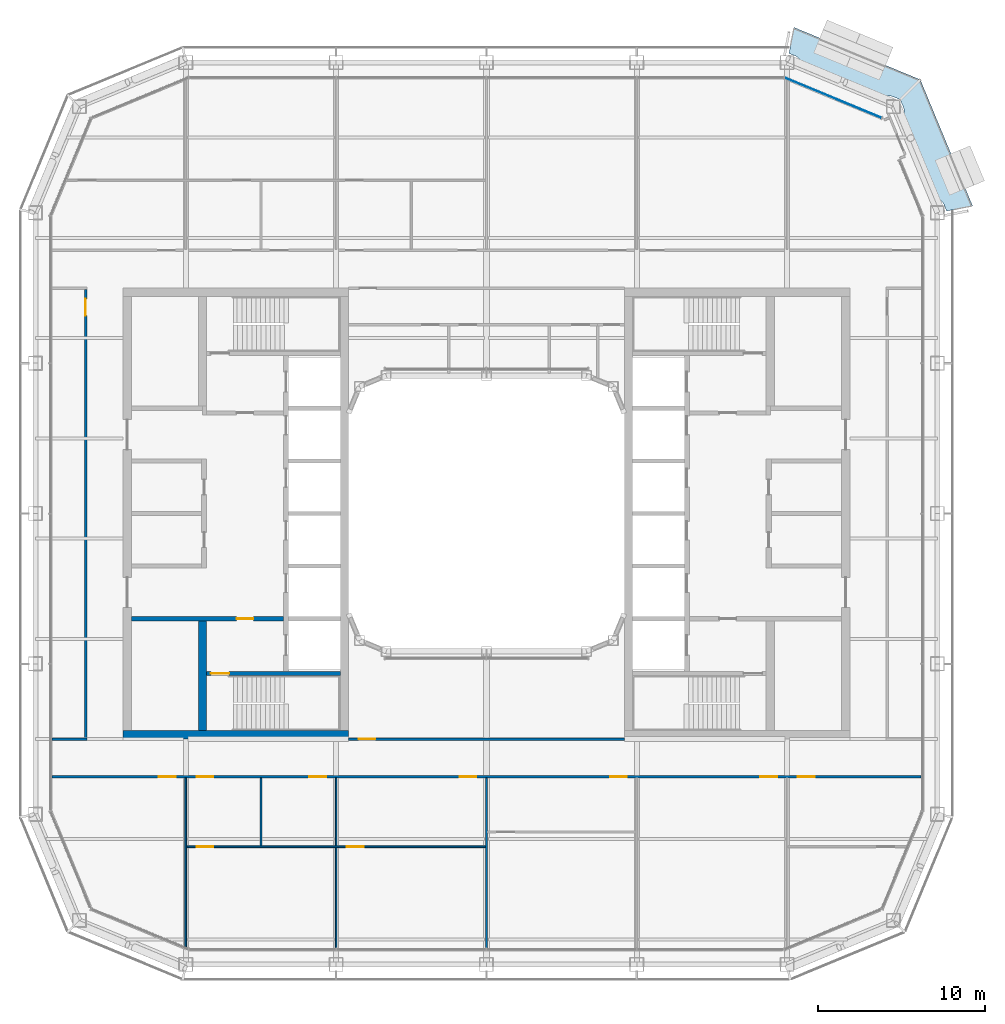
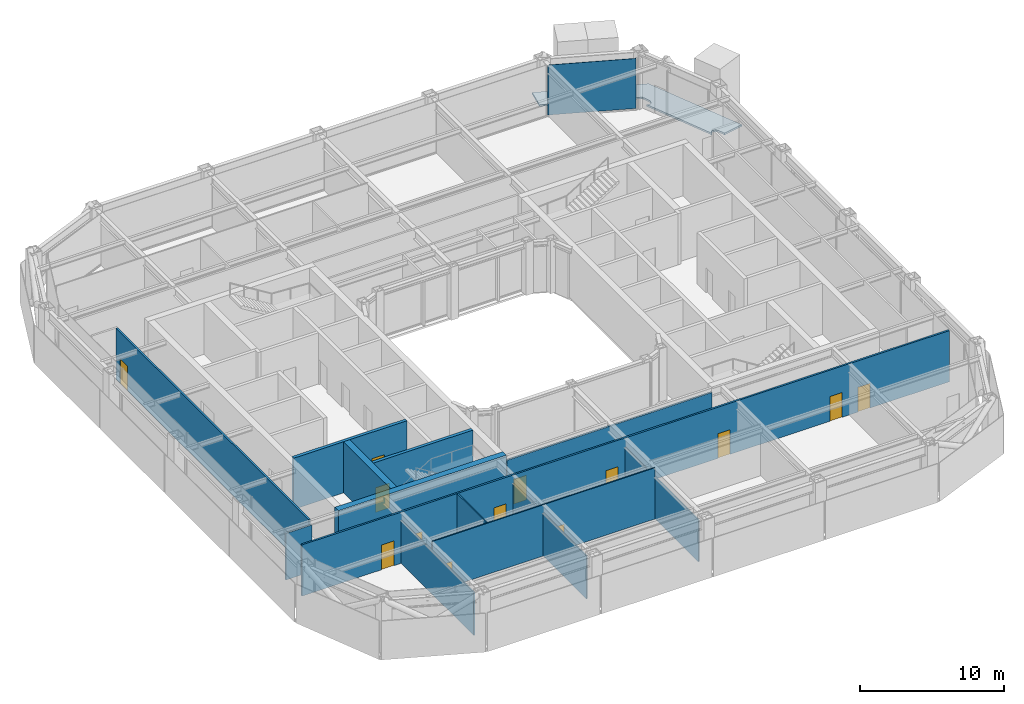
# One storey, part 12 of 23: 14 walls, 13 doors, 1 plate, 1 slab, 13 openings, 1 element without a shape of its own.
"""IFC4 building model written with IfcOpenShell, lengths in metres."""

from ifc_helpers import new_model, si_unit, direction, frame, frame_2d, origin, origin_2d, place, context, subcontext, project, spatial, polyline, rectangle, outline, extrude, material, layer, layer_set, type_object, element, fill, aggregate, save


model = new_model("IFC4")

# Units and contexts
model_context = context("Model", 3, precision=1e-05, world=origin(), true_north=direction((0.0, 1.0)))
body_context = subcontext(model_context, "Body", "Model", "MODEL_VIEW")
ifc_project = project(units=[si_unit("LENGTHUNIT", "METRE"), si_unit("AREAUNIT", "SQUARE_METRE"), si_unit("VOLUMEUNIT", "CUBIC_METRE"), si_unit("PLANEANGLEUNIT", "RADIAN"), si_unit("MASSUNIT", "GRAM", prefix="KILO")], contexts=[model_context])

# Site, building, storey
site_placement = place(None, origin())
site = spatial("IfcSite", under=ifc_project, at=site_placement, CompositionType="ELEMENT")
building_placement = place(site_placement, origin())
building = spatial("IfcBuilding", under=site, at=building_placement, Name="Siwar Civic Tower", CompositionType="ELEMENT")
storey_placement = place(building_placement, frame((0.0, 0.0, 224.199951171875)))
storey = spatial("IfcBuildingStorey", under=building, at=storey_placement, Name="L48", CompositionType="ELEMENT", Elevation=224.199951171875)

# Slab
ifc_material_1 = material(Name="Concrete C40/50", Category="concrete")
ifc_layer_1 = layer(ifc_material_1, 0.14990234375)
ifc_layer_set_1 = layer_set([ifc_layer_1], Name="Concrete C40/50")
slab_type = type_object("IfcSlabType", Name="ENV-BALCONY DECK 150", PredefinedType="FLOOR", material=ifc_layer_set_1)
slab_placement = place(storey_placement, frame((0.0, 0.0, -0.1494140625)))
element("IfcSlab", 1, at=slab_placement, inside=storey, type_object=slab_type, Name="Tree balcony deck NE", PredefinedType="FLOOR", context=body_context, shape_type="SweptSolid", body=[
    extrude(outline(polyline([(24.82080078125, 24.657470703125), (24.82080078125, 24.657470703125), (24.82421875, 24.649658203125), (24.924560546875, 24.40869140625), (24.94384765625, 24.362060546875), (24.94482421875, 24.35986328125), (24.96533203125, 24.305419921875), (24.967041015625, 24.300537109375), (24.98388671875, 24.244873046875), (24.985595703125, 24.238037109375), (24.99560546875, 24.189208984375), (24.99658203125, 24.183837890625), (25.002685546875, 24.13427734375), (25.003173828125, 24.12890625), (25.006103515625, 24.0791015625), (25.006103515625, 24.073974609375), (25.005615234375, 24.024169921875), (25.00537109375, 24.0185546875), (25.004638671875, 24.0126953125), (24.99755859375, 23.970947265625), (24.995849609375, 23.96337890625), (24.993408203125, 23.9560546875), (24.98046875, 23.922607421875), (24.978271484375, 23.91748046875), (24.962646484375, 23.88525390625), (24.96044921875, 23.880615234375), (24.942626953125, 23.849365234375), (24.93896484375, 23.84326171875), (24.9345703125, 23.837646484375), (24.9296875, 23.83251953125), (24.906982421875, 23.810546875), (24.900634765625, 23.804931640625), (24.8935546875, 23.80029296875), (24.885986328125, 23.796142578125), (24.85888671875, 23.78369140625), (24.85400390625, 23.78173828125), (24.826171875, 23.771240234375), (24.818115234375, 23.768798828125), (24.8095703125, 23.76708984375), (24.80126953125, 23.7666015625), (24.769775390625, 23.765869140625), (24.762451171875, 23.76611328125), (24.75537109375, 23.766845703125), (24.74853515625, 23.7685546875), (24.7138671875, 23.77783203125), (24.708984375, 23.779541015625), (24.675048828125, 23.791259765625), (24.669921875, 23.793212890625), (24.636962890625, 23.8076171875), (24.630126953125, 23.81103515625), (24.62353515625, 23.815185546875), (24.5888671875, 23.839599609375), (24.58447265625, 23.84326171875), (24.580078125, 23.846923828125), (24.57666015625, 23.85009765625), (26.77978515625, 18.531494140625), (26.7802734375, 18.5654296875), (26.780517578125, 18.5712890625), (26.78125, 18.576904296875), (26.788330078125, 18.61865234375), (26.789794921875, 18.626220703125), (26.792236328125, 18.633544921875), (26.805419921875, 18.6669921875), (26.8076171875, 18.672119140625), (26.822998046875, 18.70458984375), (26.825439453125, 18.709228515625), (26.84326171875, 18.740234375), (26.846923828125, 18.746337890625), (26.851318359375, 18.751953125), (26.856201171875, 18.75732421875), (26.87890625, 18.779052734375), (26.88525390625, 18.78466796875), (26.892333984375, 18.78955078125), (26.899658203125, 18.79345703125), (26.927001953125, 18.805908203125), (26.931884765625, 18.80810546875), (26.959716796875, 18.818603515625), (26.9677734375, 18.821044921875), (26.97607421875, 18.82275390625), (26.984619140625, 18.8232421875), (27.01611328125, 18.823974609375), (27.023193359375, 18.82373046875), (27.0302734375, 18.82275390625), (27.037353515625, 18.8212890625), (27.072021484375, 18.811767578125), (27.076904296875, 18.810302734375), (27.11083984375, 18.79833984375), (27.115966796875, 18.79638671875), (27.14892578125, 18.7822265625), (27.15576171875, 18.77880859375), (27.162353515625, 18.774658203125), (27.197021484375, 18.75), (27.201416015625, 18.74658203125), (27.205810546875, 18.74267578125), (27.241455078125, 18.7080078125), (27.2451171875, 18.704345703125), (27.278564453125, 18.667236328125), (27.281982421875, 18.663330078125), (27.312744140625, 18.623779296875), (27.31591796875, 18.619384765625), (27.343505859375, 18.577880859375), (27.34716796875, 18.57177734375), (27.374755859375, 18.520751953125), (27.377197265625, 18.51611328125), (27.4013671875, 18.463134765625), (27.40234375, 18.4609375), (27.405517578125, 18.453125), (27.417236328125, 18.425048828125), (27.425048828125, 18.425048828125), (27.425048828125, 18.406494140625), (27.522216796875, 18.17333984375), (27.525390625, 18.16552734375), (27.525390625, 18.16552734375), (27.52783203125, 18.15869140625), (27.533935546875, 18.13916015625), (27.53564453125, 18.13232421875), (27.53662109375, 18.12548828125), (27.538818359375, 18.107177734375), (29.10009765625, 18.417724609375), (25.97119140625, 25.97119140625), (18.417724609375, 29.10009765625), (18.106689453125, 27.5361328125), (18.107421875, 27.5361328125), (18.1240234375, 27.535400390625), (18.1328125, 27.53466796875), (18.141357421875, 27.53271484375), (18.156982421875, 27.5283203125), (18.16552734375, 27.525390625), (18.170166015625, 27.5234375), (18.17333984375, 27.522216796875), (18.18896484375, 27.515625), (18.227783203125, 27.49951171875), (18.240234375, 27.494140625), (18.406494140625, 27.425048828125), (18.425048828125, 27.425048828125), (18.425048828125, 27.417236328125), (18.453125, 27.405517578125), (18.4609375, 27.40234375), (18.463134765625, 27.4013671875), (18.51611328125, 27.377197265625), (18.520751953125, 27.374755859375), (18.57177734375, 27.34716796875), (18.577880859375, 27.343505859375), (18.619384765625, 27.31591796875), (18.623779296875, 27.312744140625), (18.663330078125, 27.281982421875), (18.667236328125, 27.278564453125), (18.704345703125, 27.2451171875), (18.7080078125, 27.241455078125), (18.74267578125, 27.205810546875), (18.74658203125, 27.201416015625), (18.75, 27.197021484375), (18.774658203125, 27.162353515625), (18.77880859375, 27.15576171875), (18.7822265625, 27.14892578125), (18.79638671875, 27.115966796875), (18.79833984375, 27.11083984375), (18.810302734375, 27.076904296875), (18.811767578125, 27.072021484375), (18.8212890625, 27.037353515625), (18.82275390625, 27.0302734375), (18.82373046875, 27.023193359375), (18.823974609375, 27.01611328125), (18.8232421875, 26.984619140625), (18.82275390625, 26.97607421875), (18.821044921875, 26.9677734375), (18.818603515625, 26.959716796875), (18.80810546875, 26.931884765625), (18.805908203125, 26.927001953125), (18.79345703125, 26.899658203125), (18.78955078125, 26.892333984375), (18.78466796875, 26.88525390625), (18.779052734375, 26.87890625), (18.75732421875, 26.856201171875), (18.751953125, 26.851318359375), (18.746337890625, 26.846923828125), (18.740234375, 26.84326171875), (18.709228515625, 26.825439453125), (18.70458984375, 26.822998046875), (18.672119140625, 26.8076171875), (18.6669921875, 26.805419921875), (18.633544921875, 26.792236328125), (18.626220703125, 26.789794921875), (18.61865234375, 26.788330078125), (18.576904296875, 26.78125), (18.5712890625, 26.780517578125), (18.5654296875, 26.7802734375), (18.531494140625, 26.77978515625), (23.85009765625, 24.57666015625), (23.846923828125, 24.580078125), (23.84326171875, 24.58447265625), (23.839599609375, 24.5888671875), (23.815185546875, 24.62353515625), (23.81103515625, 24.630126953125), (23.8076171875, 24.636962890625), (23.793212890625, 24.669921875), (23.791259765625, 24.675048828125), (23.779541015625, 24.708984375), (23.77783203125, 24.7138671875), (23.7685546875, 24.74853515625), (23.766845703125, 24.75537109375), (23.76611328125, 24.762451171875), (23.765869140625, 24.769775390625), (23.7666015625, 24.80126953125), (23.76708984375, 24.8095703125), (23.768798828125, 24.818115234375), (23.771240234375, 24.826171875), (23.78173828125, 24.85400390625), (23.78369140625, 24.85888671875), (23.796142578125, 24.885986328125), (23.80029296875, 24.8935546875), (23.804931640625, 24.900634765625), (23.810546875, 24.906982421875), (23.83251953125, 24.9296875), (23.837646484375, 24.9345703125), (23.84326171875, 24.93896484375), (23.849365234375, 24.942626953125), (23.880615234375, 24.96044921875), (23.88525390625, 24.962646484375), (23.91748046875, 24.978271484375), (23.922607421875, 24.98046875), (23.9560546875, 24.993408203125), (23.96337890625, 24.995849609375), (23.970947265625, 24.99755859375), (24.0126953125, 25.004638671875), (24.0185546875, 25.00537109375), (24.024169921875, 25.005615234375), (24.073974609375, 25.006103515625), (24.0791015625, 25.006103515625), (24.12890625, 25.003173828125), (24.13427734375, 25.002685546875), (24.183837890625, 24.99658203125), (24.189208984375, 24.99560546875), (24.238037109375, 24.985595703125), (24.244873046875, 24.98388671875), (24.300537109375, 24.967041015625), (24.305419921875, 24.96533203125), (24.35986328125, 24.94482421875), (24.362060546875, 24.94384765625), (24.40869140625, 24.924560546875), (24.649658203125, 24.82421875), (24.657470703125, 24.82080078125), (24.66552734375, 24.81689453125), (24.6796875, 24.808837890625), (24.68701171875, 24.80419921875), (24.693603515625, 24.798583984375), (24.7041015625, 24.7890625), (24.7890625, 24.7890625), (24.7890625, 24.712646484375), (24.801025390625, 24.695556640625), (24.806640625, 24.686279296875), (24.818603515625, 24.662353515625), (24.82080078125, 24.657470703125), (24.82080078125, 24.657470703125), (24.82080078125, 24.657470703125), (24.82080078125, 24.657470703125)])), origin(), (0.0, 0.0, 1.0), 0.1494140625),
])

# Curtain wall, plate
ifc_material_2 = material(Name="Aluminium clad insulated panel", Category="aluminium")
ifc_layer_2 = layer(ifc_material_2, 0.179931640625)
ifc_layer_set_2 = layer_set([ifc_layer_2], Name="Aluminium clad insulated panel")
curtain_wall_type = type_object("IfcCurtainWallType", Name="ENV-CW-CX", PredefinedType="NOTDEFINED", material=ifc_layer_set_2)
curtain_wall_placement = place(storey_placement, origin())
curtain_wall = element("IfcCurtainWall", 2, at=curtain_wall_placement, inside=storey, type_object=curtain_wall_type, Name="Curtain wall C NE2", PredefinedType="NOTDEFINED")
ifc_material_3 = material(Name="Aluminium clad insulated panel", Category="aluminium")
ifc_layer_3 = layer(ifc_material_3, 0.031982421875)
ifc_layer_set_3 = layer_set([ifc_layer_3], Name="Aluminium clad insulated panel")
plate_type = type_object("IfcPlateType", Name="ENV-PANEL-CX", PredefinedType="CURTAIN_PANEL", material=ifc_layer_set_3)
plate_placement = place(storey_placement, frame((20.78271484375, 24.873291015625, 0.10009765625), z_axis=(0.0, 0.0, 1.0), x_axis=(-0.923879532511, 0.382683432365, 0.0)))
plate = element("IfcPlate", 3, at=plate_placement, type_object=plate_type, Name="Curtain panel C NE2 1", PredefinedType="CURTAIN_PANEL", context=body_context, shape_type="SweptSolid", body=[
    extrude(rectangle(XDim=6.20166015625, YDim=0.031982421875, at=origin_2d()), origin(), (0.0, 0.0, 1.0), 4.25),
])
aggregate(curtain_wall, [plate])

# Wall, opening, door
ifc_material_4 = material(Name="Concrete C60/75", Category="concrete")
ifc_layer_4 = layer(ifc_material_4, 0.25)
ifc_layer_set_4 = layer_set([ifc_layer_4], Name="Concrete C60/75")
wall_type_1 = type_object("IfcWallType", Name="CORE-WALL-RC250", PredefinedType="SHEAR", material=ifc_layer_set_4)
wall_1_placement = place(storey_placement, frame((-12.14990234375, -6.300048828125, 0.0), z_axis=(0.0, 0.0, 1.0), x_axis=(-1.0, 0.0, 0.0)))
wall_1 = element("IfcWall", 4, at=wall_1_placement, inside=storey, type_object=wall_type_1, Name="Core wall W", PredefinedType="SHEAR", context=body_context, shape_type="SweptSolid", body=[
    extrude(rectangle(XDim=9.10009765625, YDim=0.25, at=frame_2d((4.550048828125, 0.0))), origin(), (0.0, 0.0, 1.0), 4.35009765625),
])
opening_1_placement = place(wall_1_placement, frame((1.800048828125, 0.0, 0.0)))
opening_1 = element("IfcOpeningElement", 5, at=opening_1_placement, cuts=wall_1, Name="Opening L48-CW02", PredefinedType="OPENING", context=body_context, shape_type="SweptSolid", body=[
    extrude(rectangle(XDim=1.0, YDim=2.10009765625, at=frame_2d((0.5, 1.050048828125))), frame((0.0, 0.135009765625, 0.0), z_axis=(0.0, -1.0, 0.0), x_axis=(1.0, 0.0, 0.0)), (0.0, 0.0, 1.0), 0.27001953125),
])
ifc_material_5 = material(Name="Steel door leaf", Category="steel")
door_type_1 = type_object("IfcDoorType", Name="CORE-DOOR-FD30S", OperationType="SINGLE_SWING_LEFT", PredefinedType="DOOR", material=ifc_material_5)
door_1_placement = place(opening_1_placement, origin())
door_1 = element("IfcDoor", 6, at=door_1_placement, inside=storey, type_object=door_type_1, Name="Service lobby door L48-CW02", OperationType="SINGLE_SWING_RIGHT", OverallHeight=2.10009765625, OverallWidth=1.0, PredefinedType="DOOR", context=body_context, shape_type="SweptSolid", body=[
    extrude(rectangle(XDim=1.0, YDim=2.10009765625, at=frame_2d((0.5, 1.050048828125))), frame((0.0, 0.02490234375, 0.0), z_axis=(0.0, -1.0, 0.0), x_axis=(1.0, 0.0, 0.0)), (0.0, 0.0, 1.0), 0.050048828125),
])
fill(opening_1, door_1)

wall_2_placement = place(storey_placement, frame((-8.75, -9.574951171875, 0.0), z_axis=(0.0, 0.0, 1.0), x_axis=(-1.0, 0.0, 0.0)))
wall_2 = element("IfcWall", 7, at=wall_2_placement, inside=storey, type_object=wall_type_1, Name="Core wall W", PredefinedType="SHEAR", context=body_context, shape_type="SweptSolid", body=[
    extrude(rectangle(XDim=8.0, YDim=0.25, at=frame_2d((4.0, 0.0))), origin(), (0.0, 0.0, 1.0), 4.35009765625),
])
opening_2_placement = place(wall_2_placement, frame((6.64990234375, 0.0, 0.0)))
opening_2 = element("IfcOpeningElement", 8, at=opening_2_placement, cuts=wall_2, Name="Opening L48-CW04", PredefinedType="OPENING", context=body_context, shape_type="SweptSolid", body=[
    extrude(rectangle(XDim=1.10009765625, YDim=2.10009765625, at=frame_2d((0.550048828125, 1.050048828125))), frame((0.0, 0.135009765625, 0.0), z_axis=(0.0, -1.0, 0.0), x_axis=(1.0, 0.0, 0.0)), (0.0, 0.0, 1.0), 0.27001953125),
])
ifc_material_6 = material(Name="Steel door leaf", Category="steel")
door_type_2 = type_object("IfcDoorType", Name="CORE-DOOR-FD60S", OperationType="SINGLE_SWING_LEFT", PredefinedType="DOOR", material=ifc_material_6)
door_2_placement = place(opening_2_placement, origin())
door_2 = element("IfcDoor", 9, at=door_2_placement, inside=storey, type_object=door_type_2, Name="Stair door L48-CW04", OperationType="SINGLE_SWING_LEFT", OverallHeight=2.10009765625, OverallWidth=1.10009765625, PredefinedType="DOOR", context=body_context, shape_type="SweptSolid", body=[
    extrude(rectangle(XDim=1.10009765625, YDim=2.10009765625, at=frame_2d((0.550048828125, 1.050048828125))), frame((0.0, 0.02490234375, 0.0), z_axis=(0.0, -1.0, 0.0), x_axis=(1.0, 0.0, 0.0)), (0.0, 0.0, 1.0), 0.050048828125),
])
fill(opening_2, door_2)

# Walls
ifc_material_7 = material(Name="Concrete C60/75", Category="concrete")
ifc_layer_5 = layer(ifc_material_7, 0.5)
ifc_layer_set_5 = layer_set([ifc_layer_5], Name="Concrete C60/75")
wall_type_2 = type_object("IfcWallType", Name="CORE-WALL-RC500", PredefinedType="SHEAR", material=ifc_layer_set_5)
wall_3_placement = place(storey_placement, frame((-17.0, -13.0, 0.0), z_axis=(0.0, 0.0, 1.0), x_axis=(0.0, 1.0, 0.0)))
element("IfcWall", 10, at=wall_3_placement, inside=storey, type_object=wall_type_2, Name="Core wall W", PredefinedType="SHEAR", context=body_context, shape_type="SweptSolid", body=[
    extrude(rectangle(XDim=6.574951171875, YDim=0.5, at=frame_2d((3.28759765625, 0.0))), origin(), (0.0, 0.0, 1.0), 4.35009765625),
])
wall_4_placement = place(storey_placement, frame((-8.25, -13.25, 0.0), z_axis=(0.0, 0.0, 1.0), x_axis=(-1.0, 0.0, 0.0)))
element("IfcWall", 11, at=wall_4_placement, inside=storey, type_object=wall_type_2, Name="Core wall W", PredefinedType="SHEAR", context=body_context, shape_type="SweptSolid", body=[
    extrude(rectangle(XDim=13.5, YDim=0.5, at=frame_2d((6.75, 0.0))), origin(), (0.0, 0.0, 1.0), 4.35009765625),
])

# Wall, openings, doors
ifc_material_8 = material(Name="Gypsum board on steel studs", Category="steel")
ifc_layer_6 = layer(ifc_material_8, 0.14990234375)
ifc_layer_set_6 = layer_set([ifc_layer_6], Name="Gypsum board on steel studs")
wall_type_3 = type_object("IfcWallType", Name="CORRIDOR PARTITION 150 EI 30", PredefinedType="PARTITIONING", material=ifc_layer_set_6)
wall_5_placement = place(storey_placement, frame((-26.010009765625, -15.75, 0.0), z_axis=(0.0, 0.0, 1.0), x_axis=(1.0, 0.0, 0.0)))
wall_5 = element("IfcWall", 12, at=wall_5_placement, inside=storey, type_object=wall_type_3, Name="L48/wall/P04", PredefinedType="PARTITIONING", context=body_context, shape_type="SweptSolid", body=[
    extrude(rectangle(XDim=52.02001953125, YDim=0.14990234375, at=frame_2d((26.010009765625, 0.0))), origin(), (0.0, 0.0, 1.0), 4.35009765625),
])
opening_3_placement = place(wall_5_placement, frame((8.659912109375, 0.0, 0.0)))
opening_3 = element("IfcOpeningElement", 13, at=opening_3_placement, cuts=wall_5, Name="Opening D1", PredefinedType="OPENING", context=body_context, shape_type="SweptSolid", body=[
    extrude(rectangle(XDim=1.0, YDim=2.10009765625, at=frame_2d((0.5, 1.050048828125))), frame((0.0, 0.0849609375, 0.0), z_axis=(0.0, -1.0, 0.0), x_axis=(1.0, 0.0, 0.0)), (0.0, 0.0, 1.0), 0.169921875),
])
opening_4_placement = place(wall_5_placement, frame((15.409912109375, 0.0, 0.0)))
opening_4 = element("IfcOpeningElement", 14, at=opening_4_placement, cuts=wall_5, Name="Opening D1", PredefinedType="OPENING", context=body_context, shape_type="SweptSolid", body=[
    extrude(rectangle(XDim=1.0, YDim=2.10009765625, at=frame_2d((0.5, 1.050048828125))), frame((0.0, 0.0849609375, 0.0), z_axis=(0.0, -1.0, 0.0), x_axis=(1.0, 0.0, 0.0)), (0.0, 0.0, 1.0), 0.169921875),
])
opening_5_placement = place(wall_5_placement, frame((24.409912109375, 0.0, 0.0)))
opening_5 = element("IfcOpeningElement", 15, at=opening_5_placement, cuts=wall_5, Name="Opening D1", PredefinedType="OPENING", context=body_context, shape_type="SweptSolid", body=[
    extrude(rectangle(XDim=1.0, YDim=2.10009765625, at=frame_2d((0.5, 1.050048828125))), frame((0.0, 0.0849609375, 0.0), z_axis=(0.0, -1.0, 0.0), x_axis=(1.0, 0.0, 0.0)), (0.0, 0.0, 1.0), 0.169921875),
])
opening_6_placement = place(wall_5_placement, frame((33.409912109375, 0.0, 0.0)))
opening_6 = element("IfcOpeningElement", 16, at=opening_6_placement, cuts=wall_5, Name="Opening D1", PredefinedType="OPENING", context=body_context, shape_type="SweptSolid", body=[
    extrude(rectangle(XDim=1.0, YDim=2.10009765625, at=frame_2d((0.5, 1.050048828125))), frame((0.0, 0.0849609375, 0.0), z_axis=(0.0, -1.0, 0.0), x_axis=(1.0, 0.0, 0.0)), (0.0, 0.0, 1.0), 0.169921875),
])
opening_7_placement = place(wall_5_placement, frame((42.409912109375, 0.0, 0.0)))
opening_7 = element("IfcOpeningElement", 17, at=opening_7_placement, cuts=wall_5, Name="Opening D1", PredefinedType="OPENING", context=body_context, shape_type="SweptSolid", body=[
    extrude(rectangle(XDim=1.0, YDim=2.10009765625, at=frame_2d((0.5, 1.050048828125))), frame((0.0, 0.0849609375, 0.0), z_axis=(0.0, -1.0, 0.0), x_axis=(1.0, 0.0, 0.0)), (0.0, 0.0, 1.0), 0.169921875),
])
opening_8_placement = place(wall_5_placement, frame((6.39990234375, 0.0, 0.0)))
opening_8 = element("IfcOpeningElement", 18, at=opening_8_placement, cuts=wall_5, Name="Opening D1", PredefinedType="OPENING", context=body_context, shape_type="SweptSolid", body=[
    extrude(rectangle(XDim=1.0, YDim=2.10009765625, at=frame_2d((0.5, 1.050048828125))), frame((0.0, 0.0849609375, 0.0), z_axis=(0.0, -1.0, 0.0), x_axis=(1.0, 0.0, 0.0)), (0.0, 0.0, 1.0), 0.169921875),
])
opening_9_placement = place(wall_5_placement, frame((44.659912109375, 0.0, 0.0)))
opening_9 = element("IfcOpeningElement", 19, at=opening_9_placement, cuts=wall_5, Name="Opening D1", PredefinedType="OPENING", context=body_context, shape_type="SweptSolid", body=[
    extrude(rectangle(XDim=1.0, YDim=2.10009765625, at=frame_2d((0.5, 1.050048828125))), frame((0.0, 0.0849609375, 0.0), z_axis=(0.0, -1.0, 0.0), x_axis=(1.0, 0.0, 0.0)), (0.0, 0.0, 1.0), 0.169921875),
])
ifc_material_9 = material(Name="Timber, painted", Category="wood")
door_type_3 = type_object("IfcDoorType", Name="DOOR 1000 X 2100 FD30", OperationType="SINGLE_SWING_LEFT", PredefinedType="DOOR", material=ifc_material_9)
door_3_placement = place(opening_3_placement, origin())
door_3 = element("IfcDoor", 20, at=door_3_placement, inside=storey, type_object=door_type_3, Name="L48-D09", OperationType="SINGLE_SWING_LEFT", OverallHeight=2.10009765625, OverallWidth=1.0, PredefinedType="DOOR", context=body_context, shape_type="SweptSolid", body=[
    extrude(rectangle(XDim=1.0, YDim=2.10009765625, at=frame_2d((0.5, 1.050048828125))), frame((0.0, 0.02490234375, 0.0), z_axis=(0.0, -1.0, 0.0), x_axis=(1.0, 0.0, 0.0)), (0.0, 0.0, 1.0), 0.050048828125),
])
fill(opening_3, door_3)
door_4_placement = place(opening_4_placement, origin())
door_4 = element("IfcDoor", 21, at=door_4_placement, inside=storey, type_object=door_type_3, Name="L48-D10", OperationType="SINGLE_SWING_RIGHT", OverallHeight=2.10009765625, OverallWidth=1.0, PredefinedType="DOOR", context=body_context, shape_type="SweptSolid", body=[
    extrude(rectangle(XDim=1.0, YDim=2.10009765625, at=frame_2d((0.5, 1.050048828125))), frame((0.0, 0.02490234375, 0.0), z_axis=(0.0, -1.0, 0.0), x_axis=(1.0, 0.0, 0.0)), (0.0, 0.0, 1.0), 0.050048828125),
])
fill(opening_4, door_4)
door_5_placement = place(opening_5_placement, origin())
door_5 = element("IfcDoor", 22, at=door_5_placement, inside=storey, type_object=door_type_3, Name="L48-D12", OperationType="SINGLE_SWING_RIGHT", OverallHeight=2.10009765625, OverallWidth=1.0, PredefinedType="DOOR", context=body_context, shape_type="SweptSolid", body=[
    extrude(rectangle(XDim=1.0, YDim=2.10009765625, at=frame_2d((0.5, 1.050048828125))), frame((0.0, 0.02490234375, 0.0), z_axis=(0.0, -1.0, 0.0), x_axis=(1.0, 0.0, 0.0)), (0.0, 0.0, 1.0), 0.050048828125),
])
fill(opening_5, door_5)
door_6_placement = place(opening_6_placement, origin())
door_6 = element("IfcDoor", 23, at=door_6_placement, inside=storey, type_object=door_type_3, Name="L48-D14", OperationType="SINGLE_SWING_RIGHT", OverallHeight=2.10009765625, OverallWidth=1.0, PredefinedType="DOOR", context=body_context, shape_type="SweptSolid", body=[
    extrude(rectangle(XDim=1.0, YDim=2.10009765625, at=frame_2d((0.5, 1.050048828125))), frame((0.0, 0.02490234375, 0.0), z_axis=(0.0, -1.0, 0.0), x_axis=(1.0, 0.0, 0.0)), (0.0, 0.0, 1.0), 0.050048828125),
])
fill(opening_6, door_6)
door_7_placement = place(opening_7_placement, origin())
door_7 = element("IfcDoor", 24, at=door_7_placement, inside=storey, type_object=door_type_3, Name="L48-D16", OperationType="SINGLE_SWING_RIGHT", OverallHeight=2.10009765625, OverallWidth=1.0, PredefinedType="DOOR", context=body_context, shape_type="SweptSolid", body=[
    extrude(rectangle(XDim=1.0, YDim=2.10009765625, at=frame_2d((0.5, 1.050048828125))), frame((0.0, 0.02490234375, 0.0), z_axis=(0.0, -1.0, 0.0), x_axis=(1.0, 0.0, 0.0)), (0.0, 0.0, 1.0), 0.050048828125),
])
fill(opening_7, door_7)
door_8_placement = place(opening_8_placement, origin())
door_8 = element("IfcDoor", 25, at=door_8_placement, inside=storey, type_object=door_type_3, Name="L48-D20", OperationType="SINGLE_SWING_RIGHT", OverallHeight=2.10009765625, OverallWidth=1.0, PredefinedType="DOOR", context=body_context, shape_type="SweptSolid", body=[
    extrude(rectangle(XDim=1.0, YDim=2.10009765625, at=frame_2d((0.5, 1.050048828125))), frame((0.0, 0.02490234375, 0.0), z_axis=(0.0, -1.0, 0.0), x_axis=(1.0, 0.0, 0.0)), (0.0, 0.0, 1.0), 0.050048828125),
])
fill(opening_8, door_8)
door_9_placement = place(opening_9_placement, origin())
door_9 = element("IfcDoor", 26, at=door_9_placement, inside=storey, type_object=door_type_3, Name="L48-D21", OperationType="SINGLE_SWING_LEFT", OverallHeight=2.10009765625, OverallWidth=1.0, PredefinedType="DOOR", context=body_context, shape_type="SweptSolid", body=[
    extrude(rectangle(XDim=1.0, YDim=2.10009765625, at=frame_2d((0.5, 1.050048828125))), frame((0.0, 0.02490234375, 0.0), z_axis=(0.0, -1.0, 0.0), x_axis=(1.0, 0.0, 0.0)), (0.0, 0.0, 1.0), 0.050048828125),
])
fill(opening_9, door_9)

# Wall
wall_6_placement = place(storey_placement, frame((-26.010009765625, -13.5, 0.0), z_axis=(0.0, 0.0, 1.0), x_axis=(1.0, 0.0, 0.0)))
element("IfcWall", 27, at=wall_6_placement, inside=storey, type_object=wall_type_3, Name="L48/wall/P05", PredefinedType="PARTITIONING", context=body_context, shape_type="SweptSolid", body=[
    extrude(rectangle(XDim=2.0849609375, YDim=0.14990234375, at=frame_2d((1.04248046875, 0.0))), origin(), (0.0, 0.0, 1.0), 3.949951171875),
])

# Wall, opening, door
wall_7_placement = place(storey_placement, frame((-8.25, -13.5, 0.0), z_axis=(0.0, 0.0, 1.0), x_axis=(1.0, 0.0, 0.0)))
wall_7 = element("IfcWall", 28, at=wall_7_placement, inside=storey, type_object=wall_type_3, Name="L48/wall/P06", PredefinedType="PARTITIONING", context=body_context, shape_type="SweptSolid", body=[
    extrude(rectangle(XDim=16.5, YDim=0.14990234375, at=frame_2d((8.25, 0.0))), origin(), (0.0, 0.0, 1.0), 3.949951171875),
])
opening_10_placement = place(wall_7_placement, frame((0.60009765625, 0.0, 0.0)))
opening_10 = element("IfcOpeningElement", 29, at=opening_10_placement, cuts=wall_7, Name="Opening D1", PredefinedType="OPENING", context=body_context, shape_type="SweptSolid", body=[
    extrude(rectangle(XDim=1.0, YDim=2.10009765625, at=frame_2d((0.5, 1.050048828125))), frame((0.0, 0.0849609375, 0.0), z_axis=(0.0, -1.0, 0.0), x_axis=(1.0, 0.0, 0.0)), (0.0, 0.0, 1.0), 0.169921875),
])
door_10_placement = place(opening_10_placement, origin())
door_10 = element("IfcDoor", 30, at=door_10_placement, inside=storey, type_object=door_type_3, Name="L48-D30", OperationType="SINGLE_SWING_RIGHT", OverallHeight=2.10009765625, OverallWidth=1.0, PredefinedType="DOOR", context=body_context, shape_type="SweptSolid", body=[
    extrude(rectangle(XDim=1.0, YDim=2.10009765625, at=frame_2d((0.5, 1.050048828125))), frame((0.0, 0.02490234375, 0.0), z_axis=(0.0, -1.0, 0.0), x_axis=(1.0, 0.0, 0.0)), (0.0, 0.0, 1.0), 0.050048828125),
])
fill(opening_10, door_10)

wall_8_placement = place(storey_placement, frame((-24.0, -13.425048828125, 0.0), z_axis=(0.0, 0.0, 1.0), x_axis=(0.0, 1.0, 0.0)))
wall_8 = element("IfcWall", 31, at=wall_8_placement, inside=storey, type_object=wall_type_3, Name="L48/wall/P15", PredefinedType="PARTITIONING", context=body_context, shape_type="SweptSolid", body=[
    extrude(rectangle(XDim=26.85009765625, YDim=0.14990234375, at=frame_2d((13.425048828125, 0.0))), origin(), (0.0, 0.0, 1.0), 4.35009765625),
])
opening_11_placement = place(wall_8_placement, frame((25.27490234375, 0.0, 0.0)))
opening_11 = element("IfcOpeningElement", 32, at=opening_11_placement, cuts=wall_8, Name="Opening D1", PredefinedType="OPENING", context=body_context, shape_type="SweptSolid", body=[
    extrude(rectangle(XDim=1.0, YDim=2.10009765625, at=frame_2d((0.5, 1.050048828125))), frame((0.0, 0.0849609375, 0.0), z_axis=(0.0, -1.0, 0.0), x_axis=(1.0, 0.0, 0.0)), (0.0, 0.0, 1.0), 0.169921875),
])
door_11_placement = place(opening_11_placement, origin())
door_11 = element("IfcDoor", 33, at=door_11_placement, inside=storey, type_object=door_type_3, Name="L48-D23", OperationType="SINGLE_SWING_LEFT", OverallHeight=2.10009765625, OverallWidth=1.0, PredefinedType="DOOR", context=body_context, shape_type="SweptSolid", body=[
    extrude(rectangle(XDim=1.0, YDim=2.10009765625, at=frame_2d((0.5, 1.050048828125))), frame((0.0, 0.02490234375, 0.0), z_axis=(0.0, -1.0, 0.0), x_axis=(1.0, 0.0, 0.0)), (0.0, 0.0, 1.0), 0.050048828125),
])
fill(opening_11, door_11)

# Wall, openings, doors
ifc_material_10 = material(Name="Gypsum board on steel studs", Category="steel")
ifc_layer_7 = layer(ifc_material_10, 0.10009765625)
ifc_layer_set_7 = layer_set([ifc_layer_7], Name="Gypsum board on steel studs")
wall_type_4 = type_object("IfcWallType", Name="PARTITION 100 GYPSUM", PredefinedType="PARTITIONING", material=ifc_layer_set_7)
wall_9_placement = place(storey_placement, frame((-17.949951171875, -19.949951171875, 0.0), z_axis=(0.0, 0.0, 1.0), x_axis=(1.0, 0.0, 0.0)))
wall_9 = element("IfcWall", 34, at=wall_9_placement, inside=storey, type_object=wall_type_4, Name="L48/wall/P01", PredefinedType="PARTITIONING", context=body_context, shape_type="SweptSolid", body=[
    extrude(rectangle(XDim=17.89990234375, YDim=0.10009765625, at=frame_2d((8.949951171875, 0.0))), origin(), (0.0, 0.0, 1.0), 4.35009765625),
])
opening_12_placement = place(wall_9_placement, frame((0.60009765625, 0.0, 0.0)))
opening_12 = element("IfcOpeningElement", 35, at=opening_12_placement, cuts=wall_9, Name="Opening D2", PredefinedType="OPENING", context=body_context, shape_type="SweptSolid", body=[
    extrude(rectangle(XDim=1.0, YDim=2.10009765625, at=frame_2d((0.5, 1.050048828125))), frame((0.0, 0.06005859375, 0.0), z_axis=(0.0, -1.0, 0.0), x_axis=(1.0, 0.0, 0.0)), (0.0, 0.0, 1.0), 0.1201171875),
])
opening_13_placement = place(wall_9_placement, frame((9.60009765625, 0.0, 0.0)))
opening_13 = element("IfcOpeningElement", 36, at=opening_13_placement, cuts=wall_9, Name="Opening D2", PredefinedType="OPENING", context=body_context, shape_type="SweptSolid", body=[
    extrude(rectangle(XDim=1.0, YDim=2.10009765625, at=frame_2d((0.5, 1.050048828125))), frame((0.0, 0.06005859375, 0.0), z_axis=(0.0, -1.0, 0.0), x_axis=(1.0, 0.0, 0.0)), (0.0, 0.0, 1.0), 0.1201171875),
])
ifc_material_11 = material(Name="Timber, painted", Category="wood")
door_type_4 = type_object("IfcDoorType", Name="DOOR 1000 X 2100", OperationType="SINGLE_SWING_LEFT", PredefinedType="DOOR", material=ifc_material_11)
door_12_placement = place(opening_12_placement, origin())
door_12 = element("IfcDoor", 37, at=door_12_placement, inside=storey, type_object=door_type_4, Name="L48-D11", OperationType="SINGLE_SWING_LEFT", OverallHeight=2.10009765625, OverallWidth=1.0, PredefinedType="DOOR", context=body_context, shape_type="SweptSolid", body=[
    extrude(rectangle(XDim=1.0, YDim=2.10009765625, at=frame_2d((0.5, 1.050048828125))), frame((0.0, 0.02490234375, 0.0), z_axis=(0.0, -1.0, 0.0), x_axis=(1.0, 0.0, 0.0)), (0.0, 0.0, 1.0), 0.050048828125),
])
fill(opening_12, door_12)
door_13_placement = place(opening_13_placement, origin())
door_13 = element("IfcDoor", 38, at=door_13_placement, inside=storey, type_object=door_type_4, Name="L48-D13", OperationType="SINGLE_SWING_LEFT", OverallHeight=2.10009765625, OverallWidth=1.0, PredefinedType="DOOR", context=body_context, shape_type="SweptSolid", body=[
    extrude(rectangle(XDim=1.0, YDim=2.10009765625, at=frame_2d((0.5, 1.050048828125))), frame((0.0, 0.02490234375, 0.0), z_axis=(0.0, -1.0, 0.0), x_axis=(1.0, 0.0, 0.0)), (0.0, 0.0, 1.0), 0.050048828125),
])
fill(opening_13, door_13)

# Walls
wall_10_placement = place(storey_placement, frame((-18.0, -25.927978515625, 0.0), z_axis=(0.0, 0.0, 1.0), x_axis=(0.0, 1.0, 0.0)))
element("IfcWall", 39, at=wall_10_placement, inside=storey, type_object=wall_type_4, Name="L48/wall/P16", PredefinedType="PARTITIONING", context=body_context, shape_type="SweptSolid", body=[
    extrude(rectangle(XDim=10.10302734375, YDim=0.10009765625, at=frame_2d((5.051513671875, 0.0))), origin(), (0.0, 0.0, 1.0), 3.650146484375),
])
wall_11_placement = place(storey_placement, frame((-13.5, -19.89990234375, 0.0), z_axis=(0.0, 0.0, 1.0), x_axis=(0.0, 1.0, 0.0)))
element("IfcWall", 40, at=wall_11_placement, inside=storey, type_object=wall_type_4, Name="L48/wall/P19", PredefinedType="PARTITIONING", context=body_context, shape_type="SweptSolid", body=[
    extrude(rectangle(XDim=4.074951171875, YDim=0.10009765625, at=frame_2d((2.03759765625, 0.0))), origin(), (0.0, 0.0, 1.0), 4.35009765625),
])
wall_12_placement = place(storey_placement, frame((-9.0, -26.010009765625, 0.0), z_axis=(0.0, 0.0, 1.0), x_axis=(0.0, 1.0, 0.0)))
element("IfcWall", 41, at=wall_12_placement, inside=storey, type_object=wall_type_4, Name="L48/wall/P21", PredefinedType="PARTITIONING", context=body_context, shape_type="SweptSolid", body=[
    extrude(rectangle(XDim=6.010009765625, YDim=0.10009765625, at=frame_2d((3.0048828125, 0.0))), origin(), (0.0, 0.0, 1.0), 3.650146484375),
])
wall_13_placement = place(storey_placement, frame((-9.0, -19.89990234375, 0.0), z_axis=(0.0, 0.0, 1.0), x_axis=(0.0, 1.0, 0.0)))
element("IfcWall", 42, at=wall_13_placement, inside=storey, type_object=wall_type_4, Name="L48/wall/P22", PredefinedType="PARTITIONING", context=body_context, shape_type="SweptSolid", body=[
    extrude(rectangle(XDim=4.074951171875, YDim=0.10009765625, at=frame_2d((2.03759765625, 0.0))), origin(), (0.0, 0.0, 1.0), 3.650146484375),
])
wall_14_placement = place(storey_placement, frame((0.0, -26.010009765625, 0.0), z_axis=(0.0, 0.0, 1.0), x_axis=(0.0, 1.0, 0.0)))
element("IfcWall", 43, at=wall_14_placement, inside=storey, type_object=wall_type_4, Name="L48/wall/P27", PredefinedType="PARTITIONING", context=body_context, shape_type="SweptSolid", body=[
    extrude(rectangle(XDim=10.18505859375, YDim=0.10009765625, at=frame_2d((5.092529296875, 0.0))), origin(), (0.0, 0.0, 1.0), 3.550048828125),
])

save(model, "model.ifc")
